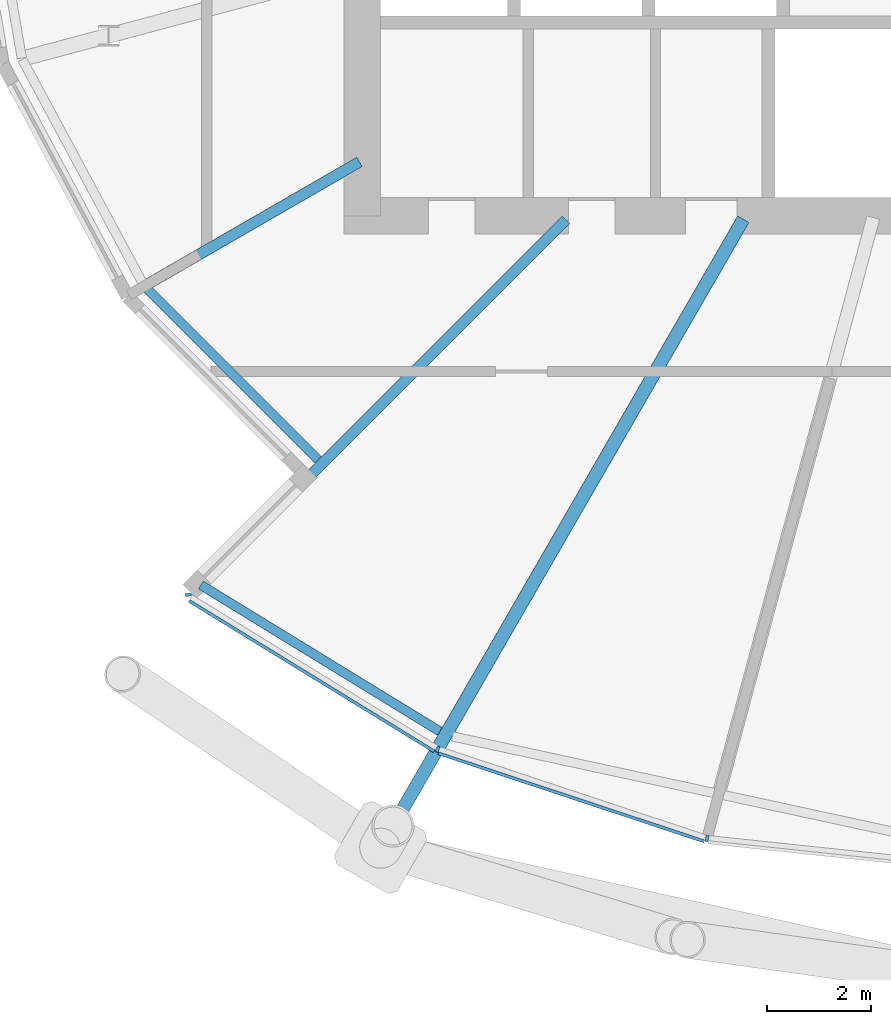
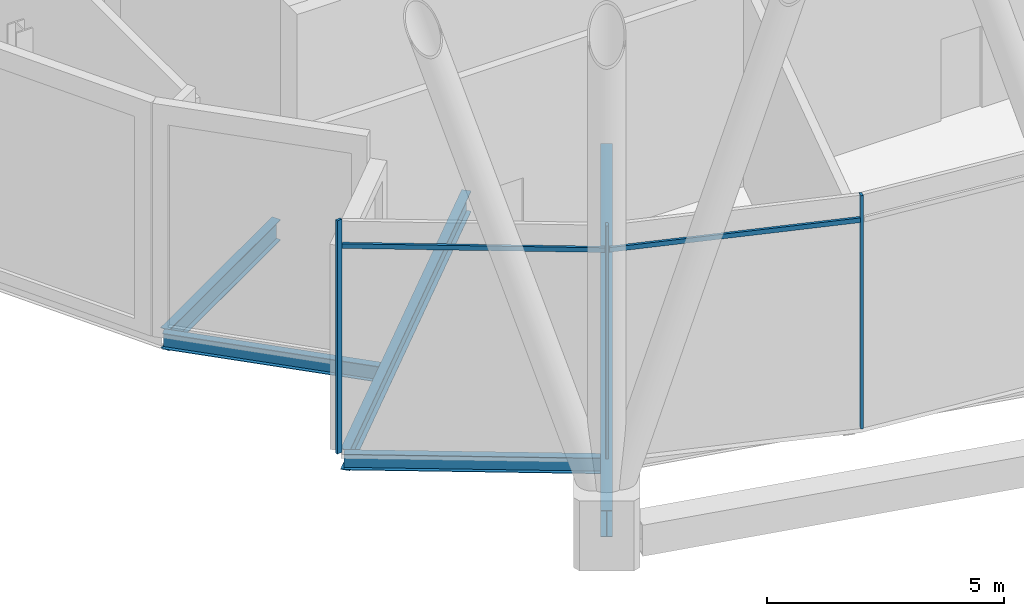
# One storey, part 4 of 39: 5 beams, 5 members, 1 element without a shape of its own.
"""IFC4 building model written with IfcOpenShell, lengths in metres."""

from ifc_helpers import new_model, si_unit, direction, frame, origin, origin_2d, place, context, subcontext, project, spatial, rectangle, i_section, extrude, material, material_profile, profile_set, type_object, element, aggregate, save


model = new_model("IFC4")

# Units and contexts
model_context = context("Model", 3, precision=1e-05, world=origin(), true_north=direction((0.0, 1.0)))
body_context = subcontext(model_context, "Body", "Model", "MODEL_VIEW")
ifc_project = project(units=[si_unit("LENGTHUNIT", "METRE"), si_unit("AREAUNIT", "SQUARE_METRE"), si_unit("VOLUMEUNIT", "CUBIC_METRE"), si_unit("PLANEANGLEUNIT", "RADIAN"), si_unit("MASSUNIT", "GRAM", prefix="KILO")], contexts=[model_context])

# Site, building, storey
site_placement = place(None, origin())
site = spatial("IfcSite", under=ifc_project, at=site_placement, CompositionType="ELEMENT")
building_placement = place(site_placement, origin())
building = spatial("IfcBuilding", under=site, at=building_placement, Name="Rimbun Link Towers", CompositionType="ELEMENT")
storey_placement = place(building_placement, frame((0.0, 0.0, 127.199951171875)))
storey = spatial("IfcBuildingStorey", under=building, at=storey_placement, Name="L31", CompositionType="ELEMENT", Elevation=127.199951171875)

# Curtain wall, members
ifc_material_1 = material(Name="Aluminium 6063-T6 louvre wall", Category="aluminium")
curtain_wall_type = type_object("IfcCurtainWallType", Name="CW6 plant floor louvre wall", PredefinedType="NOTDEFINED", material=ifc_material_1)
curtain_wall_placement = place(storey_placement, origin())
curtain_wall = element("IfcCurtainWall", 1, at=curtain_wall_placement, inside=storey, type_object=curtain_wall_type, Name="CW6 L31 T1", PredefinedType="NOTDEFINED")
ifc_material_2 = material(Name="Aluminium 6063-T6", Category="aluminium")
ifc_material_profile_1 = material_profile(ifc_material_2, rectangle(XDim=0.1201171875, YDim=0.06005859375, at=origin_2d()), Name="MULLION 60X120")
ifc_profile_set_1 = profile_set([ifc_material_profile_1], Name="Aluminium 6063-T6")
member_type_1 = type_object("IfcMemberType", Name="CW6 mullion 60X120", PredefinedType="MULLION", material=ifc_profile_set_1)
member_1_placement = place(storey_placement, frame((-42.2978515625, -18.27978515625, 0.0), z_axis=(0.0, 0.0, 1.0), x_axis=(-0.421706860892, -0.906732222586, 0.0)))
member_1 = element("IfcMember", 2, at=member_1_placement, type_object=member_type_1, Name="CW6 mullion", PredefinedType="MULLION", context=body_context, shape_type="SweptSolid", body=[
    extrude(rectangle(XDim=0.1201171875, YDim=0.06005859375, at=origin_2d()), origin(), (0.0, 0.0, 1.0), 6.0),
])
member_2_placement = place(storey_placement, frame((-47.104736328125, -15.30224609375, 0.0), z_axis=(0.0, 0.0, 1.0), x_axis=(-0.993119781401, -0.117102945268, 0.0)))
member_2 = element("IfcMember", 3, at=member_2_placement, type_object=member_type_1, Name="CW6 mullion", PredefinedType="MULLION", context=body_context, shape_type="SweptSolid", body=[
    extrude(rectangle(XDim=0.1201171875, YDim=0.06005859375, at=origin_2d()), origin(), (0.0, 0.0, 1.0), 6.0),
])
member_3_placement = place(storey_placement, frame((-37.10595703125, -20.00048828125, 0.0), z_axis=(0.0, 0.0, 1.0), x_axis=(-0.210874745282, -0.977513090348, 0.0)))
member_3 = element("IfcMember", 4, at=member_3_placement, type_object=member_type_1, Name="CW6 mullion", PredefinedType="MULLION", context=body_context, shape_type="SweptSolid", body=[
    extrude(rectangle(XDim=0.1201171875, YDim=0.06005859375, at=origin_2d()), origin(), (0.0, 0.0, 1.0), 6.0),
])
ifc_material_3 = material(Name="Aluminium 6063-T6", Category="aluminium")
ifc_material_profile_2 = material_profile(ifc_material_3, rectangle(XDim=0.06005859375, YDim=0.1201171875, at=origin_2d()), Name="TRANSOM 60X120")
ifc_profile_set_2 = profile_set([ifc_material_profile_2], Name="Aluminium 6063-T6")
member_type_2 = type_object("IfcMemberType", Name="CW6 transom 60X120", PredefinedType="USERDEFINED", material=ifc_profile_set_2)
member_4_placement = place(storey_placement, frame((-42.365966796875, -18.320556640625, 5.400146484375), z_axis=(-0.85219949089, 0.523216998698, 0.0), x_axis=(-0.523216998698, -0.85219949089, 0.0)))
member_4 = element("IfcMember", 5, at=member_4_placement, type_object=member_type_2, Name="CW6 transom", ObjectType="TRANSOM", PredefinedType="USERDEFINED", context=body_context, shape_type="SweptSolid", body=[
    extrude(rectangle(XDim=0.06005859375, YDim=0.1201171875, at=origin_2d()), origin(), (0.0, 0.0, 1.0), 5.54052734375),
])
member_5_placement = place(storey_placement, frame((-37.162841796875, -20.0556640625, 5.400146484375), z_axis=(-0.949242844608, 0.314544149462, 0.0), x_axis=(-0.314544149462, -0.949242844608, 0.0)))
member_5 = element("IfcMember", 6, at=member_5_placement, type_object=member_type_2, Name="CW6 transom", ObjectType="TRANSOM", PredefinedType="USERDEFINED", context=body_context, shape_type="SweptSolid", body=[
    extrude(rectangle(XDim=0.06005859375, YDim=0.1201171875, at=origin_2d()), origin(), (0.0, 0.0, 1.0), 5.39599609375),
])
aggregate(curtain_wall, [member_1, member_2, member_3, member_4, member_5])

# Beams
ifc_material_4 = material(Name="Steel S355J2", Category="steel")
ifc_material_profile_3 = material_profile(ifc_material_4, i_section(OverallWidth=0.177978515625, OverallDepth=0.406494140625, WebThickness=0.0078125, FlangeThickness=0.0126953125, at=origin_2d()), Name="UB 406x178x60")
ifc_profile_set_3 = profile_set([ifc_material_profile_3], Name="Steel S355J2")
beam_type_1 = type_object("IfcBeamType", Name="UB 406x178x60", PredefinedType="BEAM", material=ifc_profile_set_3)
beam_1_placement = place(storey_placement, frame((-47.942626953125, -9.364501953125, -0.383056640625), z_axis=(0.707003380328, -0.707210166927, 0.0), x_axis=(0.707210166927, 0.707003380328, 0.0)))
element("IfcBeam", 7, at=beam_1_placement, inside=storey, type_object=beam_type_1, Name="Edge beam T1 L31 14 recess", PredefinedType="BEAM", context=body_context, shape_type="SweptSolid", body=[
    extrude(i_section(OverallWidth=0.177978515625, OverallDepth=0.406494140625, WebThickness=0.0078125, FlangeThickness=0.0126953125, at=origin_2d()), origin(), (0.0, 0.0, 1.0), 4.72265625),
])
beam_2_placement = place(storey_placement, frame((-46.862548828125, -15.114013671875, -0.383056640625), z_axis=(0.852699309641, -0.522402036115, 0.0), x_axis=(0.522402036115, 0.852699309641, 0.0)))
element("IfcBeam", 8, at=beam_2_placement, inside=storey, type_object=beam_type_1, Name="Edge beam T1 L31 15", PredefinedType="BEAM", context=body_context, shape_type="SweptSolid", body=[
    extrude(i_section(OverallWidth=0.177978515625, OverallDepth=0.406494140625, WebThickness=0.0078125, FlangeThickness=0.0126953125, at=origin_2d()), origin(), (0.0, 0.0, 1.0), 5.402587890625),
])
ifc_material_5 = material(Name="Steel S355J2", Category="steel")
ifc_material_profile_4 = material_profile(ifc_material_5, i_section(OverallWidth=0.209228515625, OverallDepth=0.533203125, WebThickness=0.010009765625, FlangeThickness=0.015625, at=origin_2d()), Name="UB 533x210x92")
ifc_profile_set_4 = profile_set([ifc_material_profile_4], Name="Steel S355J2")
beam_type_2 = type_object("IfcBeamType", Name="UB 533x210x92", PredefinedType="BEAM", material=ifc_profile_set_4)
beam_3_placement = place(storey_placement, frame((-43.80322265625, -6.958984375, -0.446533203125), z_axis=(-0.866032504327, -0.499987701298, 0.0), x_axis=(0.499987701298, -0.866032504327, 0.0)))
element("IfcBeam", 9, at=beam_3_placement, inside=storey, type_object=beam_type_2, Name="Radial beam T1 L31 14", PredefinedType="BEAM", context=body_context, shape_type="SweptSolid", body=[
    extrude(i_section(OverallWidth=0.209228515625, OverallDepth=0.533203125, WebThickness=0.010009765625, FlangeThickness=0.015625, at=origin_2d()), origin(), (0.0, 0.0, 1.0), 4.70068359375),
])
beam_4_placement = place(storey_placement, frame((-39.82470703125, -8.07470703125, -0.446533203125), z_axis=(-0.707106781187, -0.707106781187, 0.0), x_axis=(0.707106781187, -0.707106781187, 0.0)))
element("IfcBeam", 10, at=beam_4_placement, inside=storey, type_object=beam_type_2, Name="Radial beam T1 L31 15", PredefinedType="BEAM", context=body_context, shape_type="SweptSolid", body=[
    extrude(i_section(OverallWidth=0.209228515625, OverallDepth=0.533203125, WebThickness=0.010009765625, FlangeThickness=0.015625, at=origin_2d()), origin(), (0.0, 0.0, 1.0), 9.861572265625),
])
ifc_material_6 = material(Name="Steel S355J2", Category="steel")
ifc_material_profile_5 = material_profile(ifc_material_6, i_section(OverallWidth=0.253662109375, OverallDepth=0.68359375, WebThickness=0.012451171875, FlangeThickness=0.01904296875, at=origin_2d()), Name="UB 686x254x140")
ifc_profile_set_5 = profile_set([ifc_material_profile_5], Name="Steel S355J2")
beam_type_3 = type_object("IfcBeamType", Name="UB 686x254x140", PredefinedType="BEAM", material=ifc_profile_set_5)
beam_5_placement = place(storey_placement, frame((-36.406005859375, -8.064208984375, -0.521728515625), z_axis=(-0.499985251534, -0.866033918648, 0.0), x_axis=(0.866033918648, -0.499985251534, 0.0)))
element("IfcBeam", 11, at=beam_5_placement, inside=storey, type_object=beam_type_3, Name="Radial beam T1 L31 16", PredefinedType="BEAM", context=body_context, shape_type="SweptSolid", body=[
    extrude(i_section(OverallWidth=0.253662109375, OverallDepth=0.68359375, WebThickness=0.012451171875, FlangeThickness=0.01904296875, at=origin_2d()), origin(), (0.0, 0.0, 1.0), 13.4833984375),
])

save(model, "model.ifc")
